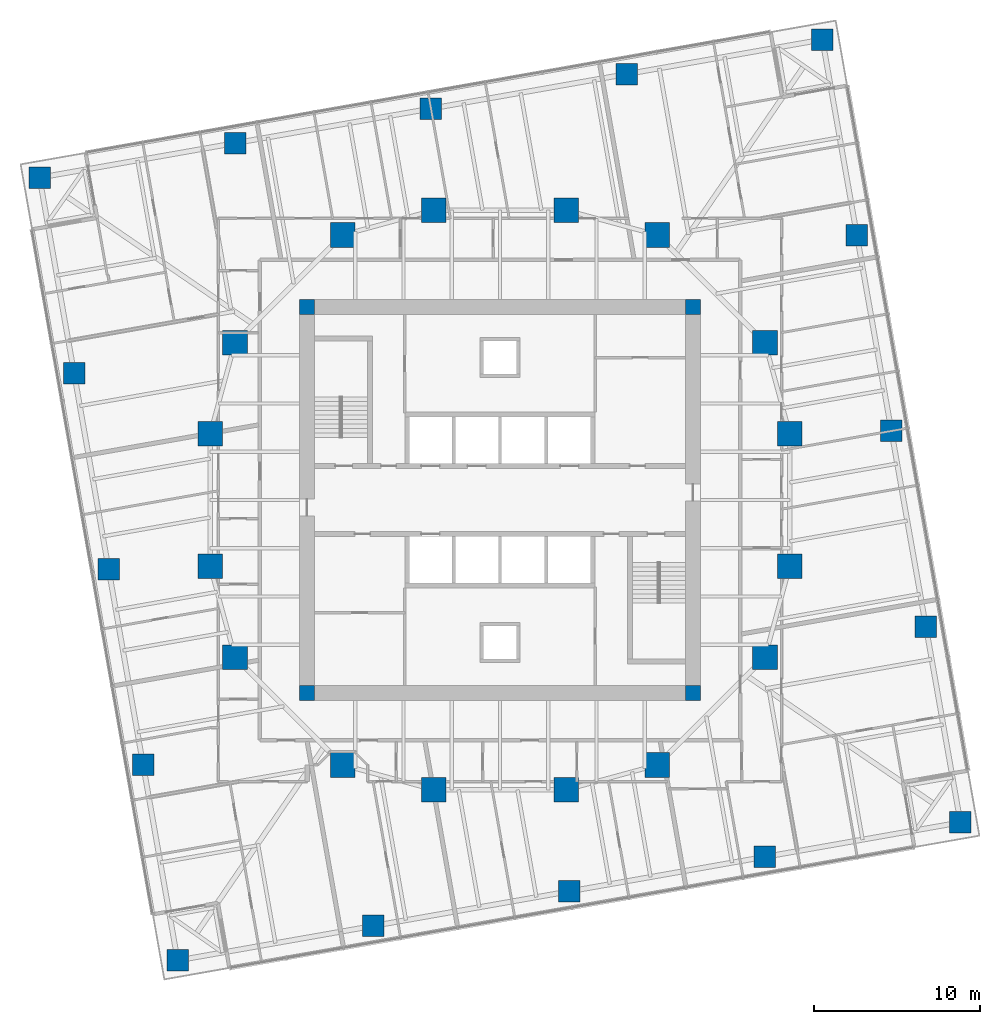
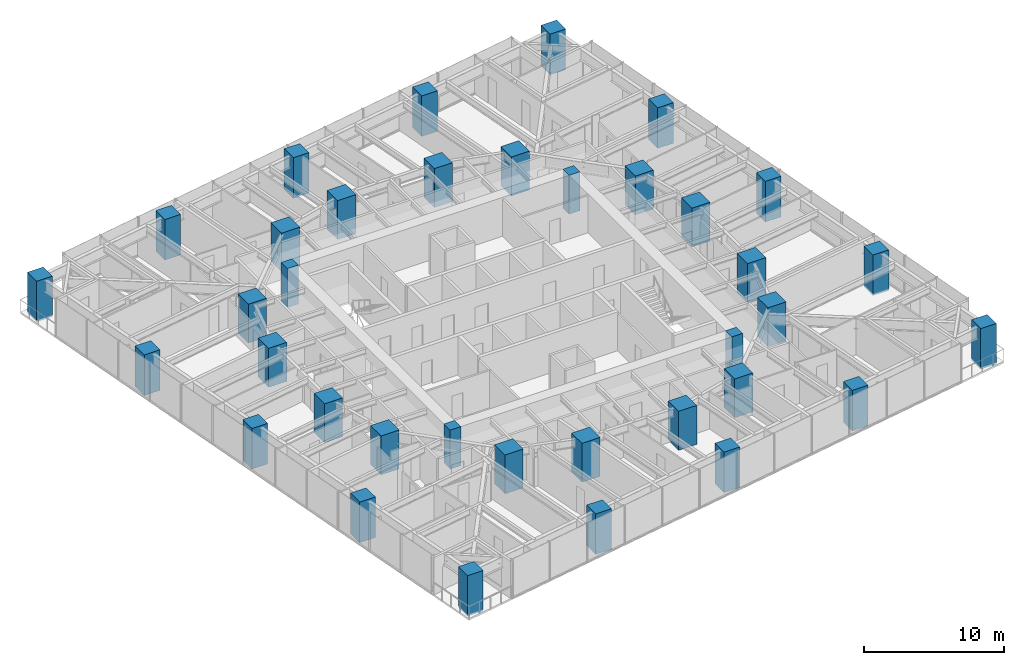
# One storey, part 1 of 14: 36 columns.
"""IFC4 building model written with IfcOpenShell, lengths in metres."""

from ifc_helpers import new_model, si_unit, direction, frame, origin, origin_2d, place, context, subcontext, project, spatial, rectangle, extrude, material, material_profile, profile_set, type_object, element, save


model = new_model("IFC4")

# Units and contexts
model_context = context("Model", 3, precision=1e-05, world=origin(), true_north=direction((0.0, 1.0)))
body_context = subcontext(model_context, "Body", "Model", "MODEL_VIEW")
ifc_project = project(units=[si_unit("LENGTHUNIT", "METRE"), si_unit("AREAUNIT", "SQUARE_METRE"), si_unit("VOLUMEUNIT", "CUBIC_METRE"), si_unit("PLANEANGLEUNIT", "RADIAN"), si_unit("MASSUNIT", "GRAM", prefix="KILO")], contexts=[model_context])

# Site, building, storey
site_placement = place(None, origin())
site = spatial("IfcSite", under=ifc_project, at=site_placement, CompositionType="ELEMENT")
building_placement = place(site_placement, origin())
building = spatial("IfcBuilding", under=site, at=building_placement, Name="Torsade Residences", CompositionType="ELEMENT")
storey_placement = place(building_placement, frame((0.0, 0.0, 79.39990234375)))
storey = spatial("IfcBuildingStorey", under=building, at=storey_placement, Name="L21", CompositionType="ELEMENT", Elevation=79.39990234375)

# Columns
ifc_material_1 = material(Name="Concrete 80 MPa", Category="concrete")
ifc_material_profile_1 = material_profile(ifc_material_1, rectangle(XDim=0.89990234375, YDim=0.89990234375, at=origin_2d()), Name="RC 900x900")
ifc_profile_set_1 = profile_set([ifc_material_profile_1], Name="Concrete 80 MPa")
column_type_1 = type_object("IfcColumnType", Name="CORE CORNER COLUMN RC 900x900", PredefinedType="COLUMN", material=ifc_profile_set_1)
for number, where, z_axis, x_axis, name in (
    (1, (28.35009765625, 18.35009765625, 0.0), (0.0, 0.0, 1.0), (1.0, 0.0, 0.0), "Core corner column CC1 L21"),
    (2, (51.64990234375, 18.35009765625, 0.0), (0.0, 0.0, 1.0), (1.0, 0.0, 0.0), "Core corner column CC2 L21"),
    (3, (51.64990234375, 41.64990234375, 0.0), (0.0, 0.0, 1.0), (1.0, 0.0, 0.0), "Core corner column CC3 L21"),
    (4, (28.35009765625, 41.64990234375, 0.0), (0.0, 0.0, 1.0), (1.0, 0.0, 0.0), "Core corner column CC4 L21"),
):
    element("IfcColumn", number, at=place(storey_placement, frame(where, z_axis=z_axis, x_axis=x_axis)), inside=storey, type_object=column_type_1, Name=name, PredefinedType="COLUMN", context=body_context, shape_type="SweptSolid", body=[
        extrude(rectangle(XDim=0.89990234375, YDim=0.89990234375, at=origin_2d()), origin(), (0.0, 0.0, 1.0), 3.400146484375),
    ])
ifc_material_2 = material(Name="Concrete 80 MPa", Category="concrete")
ifc_material_profile_2 = material_profile(ifc_material_2, rectangle(XDim=1.5, YDim=1.5, at=origin_2d()), Name="RC 1500x1500")
ifc_profile_set_2 = profile_set([ifc_material_profile_2], Name="Concrete 80 MPa")
column_type_2 = type_object("IfcColumnType", Name="INNER RING COLUMN RC 1500x1500", PredefinedType="COLUMN", material=ifc_profile_set_2)
for number, where, z_axis, x_axis, name in (
    (5, (57.5, 26.0, 0.0), (0.0, 0.0, 1.0), (1.0, 0.0, 0.0), "Inner ring column IR01 L21"),
    (6, (57.5, 34.0, 0.0), (0.0, 0.0, 1.0), (1.0, 0.0, 0.0), "Inner ring column IR02 L21"),
    (7, (56.0, 39.5, 0.0), (0.0, 0.0, 1.0), (1.0, 0.0, 0.0), "Inner ring column IR03 L21"),
    (8, (49.5, 46.0, 0.0), (0.0, 0.0, 1.0), (1.0, 0.0, 0.0), "Inner ring column IR04 L21"),
    (9, (44.0, 47.5, 0.0), (0.0, 0.0, 1.0), (1.0, 0.0, 0.0), "Inner ring column IR05 L21"),
    (10, (36.0, 47.5, 0.0), (0.0, 0.0, 1.0), (1.0, 0.0, 0.0), "Inner ring column IR06 L21"),
    (11, (30.5, 46.0, 0.0), (0.0, 0.0, 1.0), (1.0, 0.0, 0.0), "Inner ring column IR07 L21"),
    (12, (24.0, 39.5, 0.0), (0.0, 0.0, 1.0), (1.0, 0.0, 0.0), "Inner ring column IR08 L21"),
    (13, (22.5, 34.0, 0.0), (0.0, 0.0, 1.0), (1.0, 0.0, 0.0), "Inner ring column IR09 L21"),
    (14, (22.5, 26.0, 0.0), (0.0, 0.0, 1.0), (1.0, 0.0, 0.0), "Inner ring column IR10 L21"),
    (15, (24.0, 20.5, 0.0), (0.0, 0.0, 1.0), (1.0, 0.0, 0.0), "Inner ring column IR11 L21"),
    (16, (30.5, 14.0, 0.0), (0.0, 0.0, 1.0), (1.0, 0.0, 0.0), "Inner ring column IR12 L21"),
    (17, (36.0, 12.5, 0.0), (0.0, 0.0, 1.0), (1.0, 0.0, 0.0), "Inner ring column IR13 L21"),
    (18, (44.0, 12.5, 0.0), (0.0, 0.0, 1.0), (1.0, 0.0, 0.0), "Inner ring column IR14 L21"),
    (19, (49.5, 14.0, 0.0), (0.0, 0.0, 1.0), (1.0, 0.0, 0.0), "Inner ring column IR15 L21"),
    (20, (56.0, 20.5, 0.0), (0.0, 0.0, 1.0), (1.0, 0.0, 0.0), "Inner ring column IR16 L21"),
):
    element("IfcColumn", number, at=place(storey_placement, frame(where, z_axis=z_axis, x_axis=x_axis)), inside=storey, type_object=column_type_2, Name=name, PredefinedType="COLUMN", context=body_context, shape_type="SweptSolid", body=[
        extrude(rectangle(XDim=1.5, YDim=1.5, at=origin_2d()), origin(), (0.0, 0.0, 1.0), 3.400146484375),
    ])
ifc_material_3 = material(Name="Concrete 80 MPa", Category="concrete")
ifc_material_profile_3 = material_profile(ifc_material_3, rectangle(XDim=1.300048828125, YDim=1.300048828125, at=origin_2d()), Name="RC 1300x1300")
ifc_profile_set_3 = profile_set([ifc_material_profile_3], Name="Concrete 80 MPa")
column_type_3 = type_object("IfcColumnType", Name="TOWER COLUMN RC 1300x1300", PredefinedType="COLUMN", material=ifc_profile_set_3)
for number, where, z_axis, x_axis, name in (
    (21, (20.5322265625, 2.197021484375, -0.14990234375), (0.0, 0.0, 1.0), (1.0, 0.0, 0.0), "Column TC3-01 L21"),
    (22, (32.349853515625, 4.28076171875, -0.14990234375), (0.0, 0.0, 1.0), (1.0, 0.0, 0.0), "Column TC3-02 L21"),
    (23, (44.16748046875, 6.364501953125, -0.14990234375), (0.0, 0.0, 1.0), (1.0, 0.0, 0.0), "Column TC3-03 L21"),
    (24, (55.9853515625, 8.448486328125, -0.14990234375), (0.0, 0.0, 1.0), (1.0, 0.0, 0.0), "Column TC3-04 L21"),
    (25, (67.802978515625, 10.5322265625, -0.14990234375), (0.0, 0.0, 1.0), (1.0, 0.0, 0.0), "Column TC3-05 L21"),
    (26, (65.71923828125, 22.349853515625, -0.14990234375), (0.0, 0.0, 1.0), (1.0, 0.0, 0.0), "Column TC3-06 L21"),
    (27, (63.635498046875, 34.16748046875, -0.14990234375), (0.0, 0.0, 1.0), (1.0, 0.0, 0.0), "Column TC3-07 L21"),
    (28, (61.551513671875, 45.9853515625, -0.14990234375), (0.0, 0.0, 1.0), (1.0, 0.0, 0.0), "Column TC3-08 L21"),
    (29, (59.4677734375, 57.802978515625, -0.14990234375), (0.0, 0.0, 1.0), (1.0, 0.0, 0.0), "Column TC3-09 L21"),
    (30, (47.650146484375, 55.71923828125, -0.14990234375), (0.0, 0.0, 1.0), (1.0, 0.0, 0.0), "Column TC3-10 L21"),
    (31, (35.83251953125, 53.635498046875, -0.14990234375), (0.0, 0.0, 1.0), (1.0, 0.0, 0.0), "Column TC3-11 L21"),
    (32, (24.0146484375, 51.551513671875, -0.14990234375), (0.0, 0.0, 1.0), (1.0, 0.0, 0.0), "Column TC3-12 L21"),
    (33, (12.197021484375, 49.4677734375, -0.14990234375), (0.0, 0.0, 1.0), (1.0, 0.0, 0.0), "Column TC3-13 L21"),
    (34, (14.28076171875, 37.650146484375, -0.14990234375), (0.0, 0.0, 1.0), (1.0, 0.0, 0.0), "Column TC3-14 L21"),
    (35, (16.364501953125, 25.83251953125, -0.14990234375), (0.0, 0.0, 1.0), (1.0, 0.0, 0.0), "Column TC3-15 L21"),
    (36, (18.448486328125, 14.0146484375, -0.14990234375), (0.0, 0.0, 1.0), (1.0, 0.0, 0.0), "Column TC3-16 L21"),
):
    element("IfcColumn", number, at=place(storey_placement, frame(where, z_axis=z_axis, x_axis=x_axis)), inside=storey, type_object=column_type_3, Name=name, PredefinedType="COLUMN", context=body_context, shape_type="SweptSolid", body=[
        extrude(rectangle(XDim=1.300048828125, YDim=1.300048828125, at=origin_2d()), origin(), (0.0, 0.0, 1.0), 3.550048828125),
    ])

save(model, "model.ifc")
